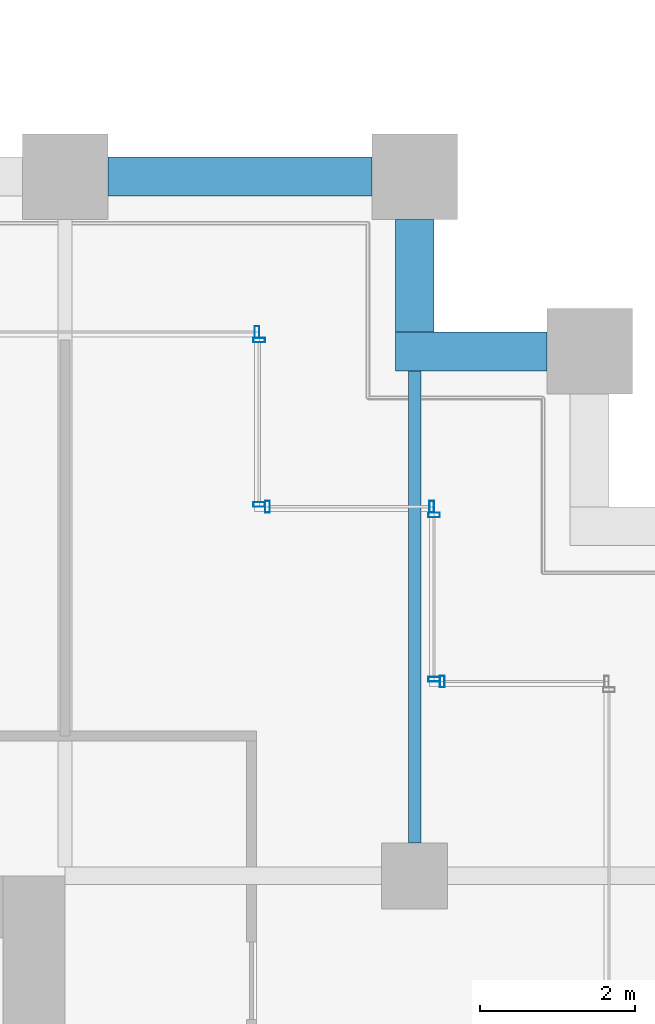
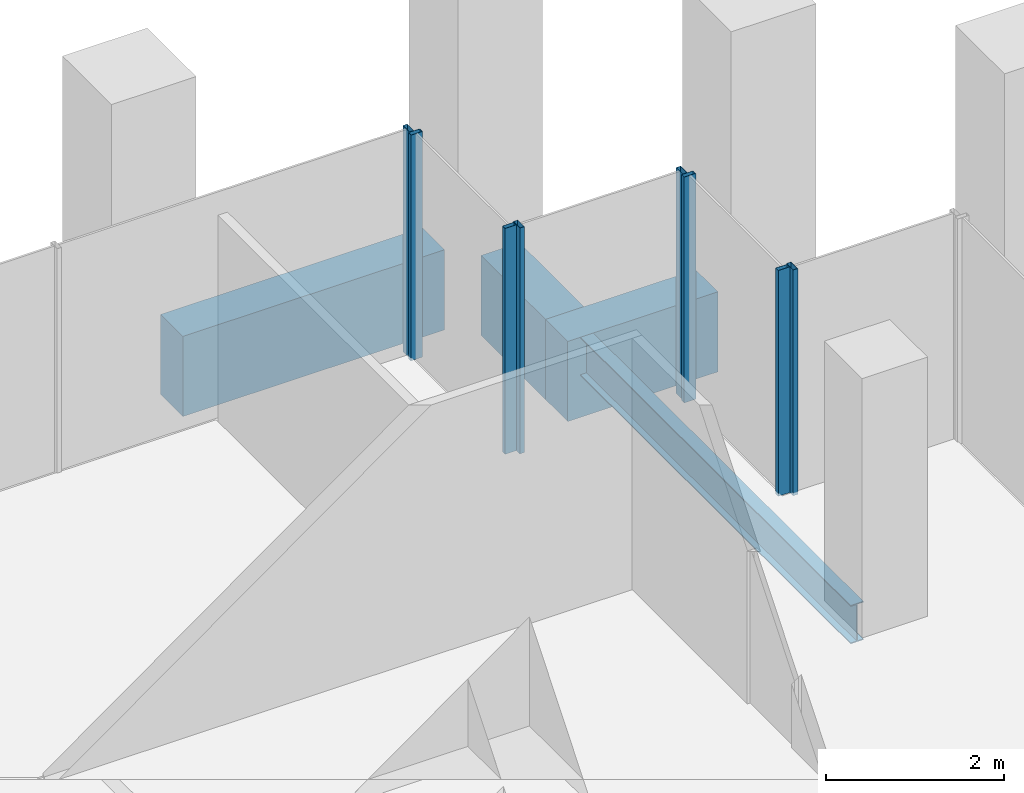
# One storey, part 45 of 54: 8 members, 4 beams, 5 elements without a shape of their own.
"""IFC4 building model written with IfcOpenShell, lengths in metres."""

from ifc_helpers import new_model, si_unit, direction, frame, origin, origin_2d, place, context, subcontext, project, spatial, rectangle, hollow_rectangle, i_section, extrude, material, material_profile, profile_set, type_object, element, aggregate, save


model = new_model("IFC4")

# Units and contexts
model_context = context("Model", 3, precision=1e-05, world=origin(), true_north=direction((0.0, 1.0)))
body_context = subcontext(model_context, "Body", "Model", "MODEL_VIEW")
ifc_project = project(units=[si_unit("LENGTHUNIT", "METRE"), si_unit("AREAUNIT", "SQUARE_METRE"), si_unit("VOLUMEUNIT", "CUBIC_METRE"), si_unit("PLANEANGLEUNIT", "RADIAN"), si_unit("MASSUNIT", "GRAM", prefix="KILO")], contexts=[model_context])

# Site, building, storey
site_placement = place(None, origin())
site = spatial("IfcSite", under=ifc_project, at=site_placement, CompositionType="ELEMENT")
building_placement = place(site_placement, origin())
building = spatial("IfcBuilding", under=site, at=building_placement, Name="Altepetl Exchange Towers", CompositionType="ELEMENT")
storey_placement = place(building_placement, frame((0.0, 0.0, 58.199951171875)))
storey = spatial("IfcBuildingStorey", under=building, at=storey_placement, Name="L13", CompositionType="ELEMENT", Elevation=58.199951171875)

# Beam
ifc_material_1 = material(Name="Steel S355", Category="steel")
ifc_material_profile_1 = material_profile(ifc_material_1, i_section(OverallWidth=0.166015625, OverallDepth=0.529052734375, WebThickness=0.009765625, FlangeThickness=0.013671875, at=origin_2d()), Name="W21X50")
ifc_profile_set_1 = profile_set([ifc_material_profile_1], Name="Steel S355")
beam_type_1 = type_object("IfcBeamType", Name="Floor beam W21X50", PredefinedType="BEAM", material=ifc_profile_set_1)
beam_1_placement = place(storey_placement, frame((121.5, 49.925048828125, -0.41455078125), z_axis=(0.0, 1.0, 0.0), x_axis=(-1.0, 0.0, 0.0)))
element("IfcBeam", 1, at=beam_1_placement, inside=storey, type_object=beam_type_1, Name="bm:B:L13:003", PredefinedType="BEAM", context=body_context, shape_type="SweptSolid", body=[
    extrude(i_section(OverallWidth=0.166015625, OverallDepth=0.529052734375, WebThickness=0.009765625, FlangeThickness=0.013671875, at=origin_2d()), origin(), (0.0, 0.0, 1.0), 6.074951171875),
])

# Curtain wall, member
ifc_material_2 = material(Name="Aluminium 6063-T6 glazing", Category="aluminium")
curtain_wall_type = type_object("IfcCurtainWallType", Name="Loggia glazing system", PredefinedType="NOTDEFINED", material=ifc_material_2)
curtain_wall_1_placement = place(storey_placement, origin())
curtain_wall_1 = element("IfcCurtainWall", 2, at=curtain_wall_1_placement, inside=storey, type_object=curtain_wall_type, Name="CW1 run", PredefinedType="NOTDEFINED")
ifc_material_3 = material(Name="Aluminium 6063-T6", Category="aluminium")
ifc_material_profile_2 = material_profile(ifc_material_3, hollow_rectangle(XDim=0.06005859375, YDim=0.14990234375, WallThickness=0.0029296875, at=origin_2d()), Name="Mullion 60x150 aluminium")
ifc_profile_set_2 = profile_set([ifc_material_profile_2], Name="Aluminium 6063-T6")
member_type = type_object("IfcMemberType", Name="Mullion 60x150 aluminium", PredefinedType="MULLION", material=ifc_profile_set_2)
member_1_placement = place(storey_placement, frame((121.85498046875, 52.0, 0.0), z_axis=(0.0, 0.0, 1.0), x_axis=(-1.0, 0.0, 0.0)))
member_1 = element("IfcMember", 3, at=member_1_placement, type_object=member_type, Name="MU1 mullion", PredefinedType="MULLION", context=body_context, shape_type="SweptSolid", body=[
    extrude(hollow_rectangle(XDim=0.06005859375, YDim=0.14990234375, WallThickness=0.0029296875, at=origin_2d()), origin(), (0.0, 0.0, 1.0), 3.10009765625),
])
aggregate(curtain_wall_1, [member_1])

# Curtain wall, members
curtain_wall_2_placement = place(storey_placement, origin())
curtain_wall_2 = element("IfcCurtainWall", 4, at=curtain_wall_2_placement, inside=storey, type_object=curtain_wall_type, Name="CW1 run", PredefinedType="NOTDEFINED")
member_2_placement = place(storey_placement, frame((121.75, 52.030029296875, 0.0), z_axis=(0.0, 0.0, 1.0), x_axis=(0.0, 1.0, 0.0)))
member_2 = element("IfcMember", 5, at=member_2_placement, type_object=member_type, Name="MU1 mullion", PredefinedType="MULLION", context=body_context, shape_type="SweptSolid", body=[
    extrude(hollow_rectangle(XDim=0.06005859375, YDim=0.14990234375, WallThickness=0.0029296875, at=origin_2d()), origin(), (0.0, 0.0, 1.0), 3.10009765625),
])
member_3_placement = place(storey_placement, frame((121.75, 54.14501953125, 0.0), z_axis=(0.0, 0.0, 1.0), x_axis=(0.0, 1.0, 0.0)))
member_3 = element("IfcMember", 6, at=member_3_placement, type_object=member_type, Name="MU1 mullion", PredefinedType="MULLION", context=body_context, shape_type="SweptSolid", body=[
    extrude(hollow_rectangle(XDim=0.06005859375, YDim=0.14990234375, WallThickness=0.0029296875, at=origin_2d()), origin(), (0.0, 0.0, 1.0), 3.10009765625),
])
aggregate(curtain_wall_2, [member_2, member_3])

curtain_wall_3_placement = place(storey_placement, origin())
curtain_wall_3 = element("IfcCurtainWall", 7, at=curtain_wall_3_placement, inside=storey, type_object=curtain_wall_type, Name="CW1 run", PredefinedType="NOTDEFINED")
member_4_placement = place(storey_placement, frame((121.719970703125, 54.25, 0.0), z_axis=(0.0, 0.0, 1.0), x_axis=(-1.0, 0.0, 0.0)))
member_4 = element("IfcMember", 8, at=member_4_placement, type_object=member_type, Name="MU1 mullion", PredefinedType="MULLION", context=body_context, shape_type="SweptSolid", body=[
    extrude(hollow_rectangle(XDim=0.06005859375, YDim=0.14990234375, WallThickness=0.0029296875, at=origin_2d()), origin(), (0.0, 0.0, 1.0), 3.10009765625),
])
member_5_placement = place(storey_placement, frame((119.60498046875, 54.25, 0.0), z_axis=(0.0, 0.0, 1.0), x_axis=(-1.0, 0.0, 0.0)))
member_5 = element("IfcMember", 9, at=member_5_placement, type_object=member_type, Name="MU1 mullion", PredefinedType="MULLION", context=body_context, shape_type="SweptSolid", body=[
    extrude(hollow_rectangle(XDim=0.06005859375, YDim=0.14990234375, WallThickness=0.0029296875, at=origin_2d()), origin(), (0.0, 0.0, 1.0), 3.10009765625),
])
aggregate(curtain_wall_3, [member_4, member_5])

curtain_wall_4_placement = place(storey_placement, origin())
curtain_wall_4 = element("IfcCurtainWall", 10, at=curtain_wall_4_placement, inside=storey, type_object=curtain_wall_type, Name="CW1 run", PredefinedType="NOTDEFINED")
member_6_placement = place(storey_placement, frame((119.5, 54.280029296875, 0.0), z_axis=(0.0, 0.0, 1.0), x_axis=(0.0, 1.0, 0.0)))
member_6 = element("IfcMember", 11, at=member_6_placement, type_object=member_type, Name="MU1 mullion", PredefinedType="MULLION", context=body_context, shape_type="SweptSolid", body=[
    extrude(hollow_rectangle(XDim=0.06005859375, YDim=0.14990234375, WallThickness=0.0029296875, at=origin_2d()), origin(), (0.0, 0.0, 1.0), 3.10009765625),
])
member_7_placement = place(storey_placement, frame((119.5, 56.39501953125, 0.0), z_axis=(0.0, 0.0, 1.0), x_axis=(0.0, 1.0, 0.0)))
member_7 = element("IfcMember", 12, at=member_7_placement, type_object=member_type, Name="MU1 mullion", PredefinedType="MULLION", context=body_context, shape_type="SweptSolid", body=[
    extrude(hollow_rectangle(XDim=0.06005859375, YDim=0.14990234375, WallThickness=0.0029296875, at=origin_2d()), origin(), (0.0, 0.0, 1.0), 3.10009765625),
])
aggregate(curtain_wall_4, [member_6, member_7])

# Curtain wall, member
curtain_wall_5_placement = place(storey_placement, origin())
curtain_wall_5 = element("IfcCurtainWall", 13, at=curtain_wall_5_placement, inside=storey, type_object=curtain_wall_type, Name="CW1 run", PredefinedType="NOTDEFINED")
member_8_placement = place(storey_placement, frame((119.469970703125, 56.5, 0.0), z_axis=(0.0, 0.0, 1.0), x_axis=(-1.0, 0.0, 0.0)))
member_8 = element("IfcMember", 14, at=member_8_placement, type_object=member_type, Name="MU1 mullion", PredefinedType="MULLION", context=body_context, shape_type="SweptSolid", body=[
    extrude(hollow_rectangle(XDim=0.06005859375, YDim=0.14990234375, WallThickness=0.0029296875, at=origin_2d()), origin(), (0.0, 0.0, 1.0), 3.10009765625),
])
aggregate(curtain_wall_5, [member_8])

# Beams
ifc_material_4 = material(Name="Concrete C50/60 precast with cantera amarilla facing", Category="concrete")
ifc_material_profile_3 = material_profile(ifc_material_4, rectangle(XDim=0.5, YDim=1.10009765625, at=origin_2d()), Name="500 x 1100")
ifc_profile_set_3 = profile_set([ifc_material_profile_3], Name="Concrete C50/60 precast with cantera amarilla facing")
beam_type_2 = type_object("IfcBeamType", Name="Spandrel beam 500x1100 cantera amarilla", PredefinedType="SPANDREL", material=ifc_profile_set_3)
beam_2_placement = place(storey_placement, frame((123.199951171875, 56.25, -0.699951171875), z_axis=(-1.0, 0.0, 0.0), x_axis=(0.0, -1.0, 0.0)))
element("IfcBeam", 15, at=beam_2_placement, inside=storey, type_object=beam_type_2, Name="sp:B:L13:016", PredefinedType="SPANDREL", context=body_context, shape_type="SweptSolid", body=[
    extrude(rectangle(XDim=0.5, YDim=1.10009765625, at=origin_2d()), origin(), (0.0, 0.0, 1.0), 1.949951171875),
])
beam_3_placement = place(storey_placement, frame((121.5, 56.5, -0.699951171875), z_axis=(0.0, 1.0, 0.0), x_axis=(-1.0, 0.0, 0.0)))
element("IfcBeam", 16, at=beam_3_placement, inside=storey, type_object=beam_type_2, Name="sp:B:L13:017", PredefinedType="SPANDREL", context=body_context, shape_type="SweptSolid", body=[
    extrude(rectangle(XDim=0.5, YDim=1.10009765625, at=origin_2d()), origin(), (0.0, 0.0, 1.0), 1.449951171875),
])
beam_4_placement = place(storey_placement, frame((120.949951171875, 58.5, -0.699951171875), z_axis=(-1.0, 0.0, 0.0), x_axis=(0.0, -1.0, 0.0)))
element("IfcBeam", 17, at=beam_4_placement, inside=storey, type_object=beam_type_2, Name="sp:B:L13:018", PredefinedType="SPANDREL", context=body_context, shape_type="SweptSolid", body=[
    extrude(rectangle(XDim=0.5, YDim=1.10009765625, at=origin_2d()), origin(), (0.0, 0.0, 1.0), 3.39990234375),
])

save(model, "model.ifc")
